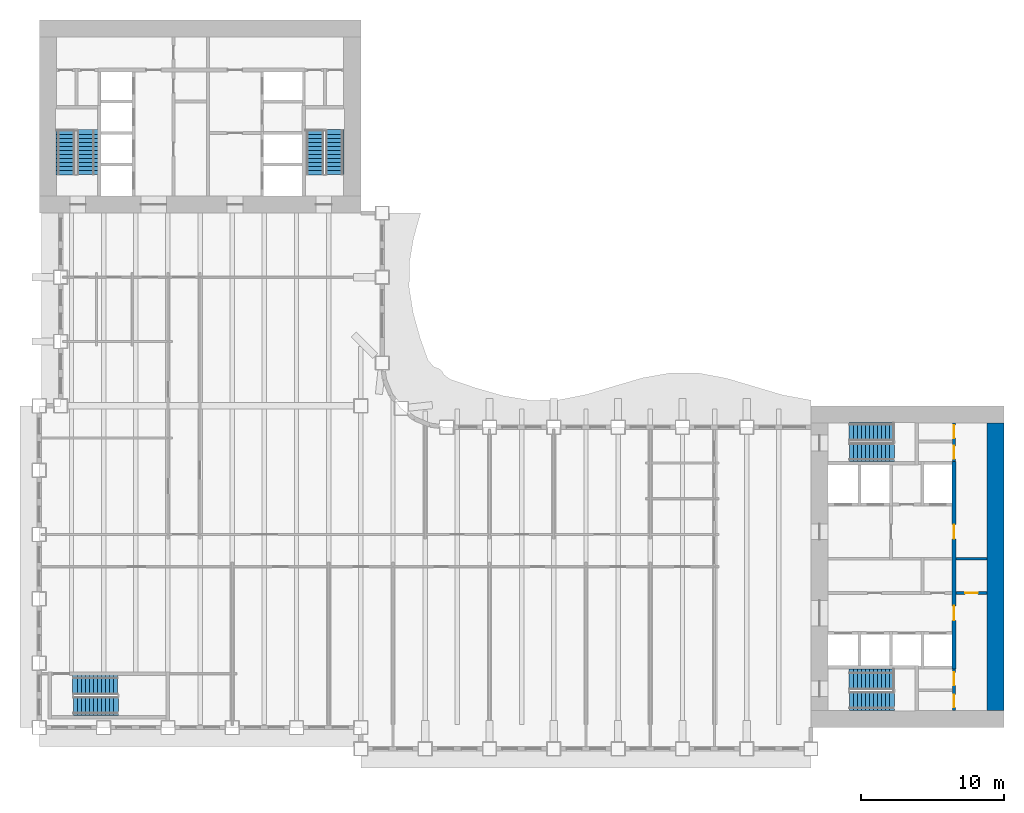
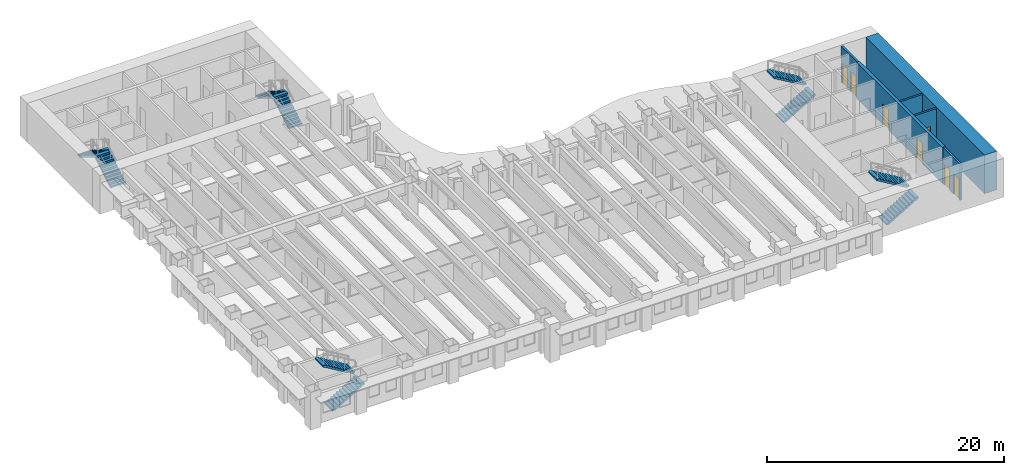
# One storey, part 10 of 16: 10 stair flights, 7 doors, 6 walls, 7 openings, 5 elements without a shape of their own.
"""IFC4 building model written with IfcOpenShell, lengths in metres."""

import ifcopenshell
import ifcopenshell.guid

model = None  # the IFC model being written
_history = None  # IfcOwnerHistory: only IFC2X3 demands one
_inside = {}  # id of a spatial element -> (the spatial element, [elements in it])
_under = {}  # id of a project, library or spatial element -> (it, [spatial elements below it])
_declared = {}  # id of a project -> (the project, [libraries it declares])
_typed = {}  # id of a type object -> (the type object, [elements of that type])
_made_of = {}  # id of a material, layer set ... -> (it, [elements and type objects made of it])


def new_model(schema):
    """Start an empty IFC model of exactly this schema.

    Asked for "IFC4X3", IfcOpenShell would pick the latest addendum, in which some entities
    have other attributes; the version numbers below select the first issue.
    IFC2X3 requires an IfcOwnerHistory on every rooted entity: one is made here for all.
    """
    global model, _history
    if schema == "IFC4X3":
        model = ifcopenshell.file(schema_version=(4, 3, 0, 0))
    else:
        model = ifcopenshell.file(schema=schema)
    _inside.clear()
    _under.clear()
    _declared.clear()
    _typed.clear()
    _made_of.clear()
    _history = None
    if model.schema == "IFC2X3":
        org = make("IfcOrganization", Name="unknown")
        user = make(
            "IfcPersonAndOrganization",
            ThePerson=make("IfcPerson", FamilyName="unknown"),
            TheOrganization=org,
        )
        app = make(
            "IfcApplication",
            ApplicationDeveloper=org,
            Version="unknown",
            ApplicationFullName="unknown",
            ApplicationIdentifier="unknown",
        )
        _history = make(
            "IfcOwnerHistory",
            OwningUser=user,
            OwningApplication=app,
            ChangeAction="ADDED",
            CreationDate=0,
        )
    return model


def make(cls, **values):
    """One entity of the class cls with the attributes given. An attribute that is None is left unset."""
    return model.create_entity(
        cls, **{name: value for name, value in values.items() if value is not None}
    )


def rooted(cls, **values):
    """An entity with a GlobalId (a new one), such as an element, a storey or a relation."""
    return make(cls, GlobalId=ifcopenshell.guid.new(), OwnerHistory=_history, **values)


def si_unit(unit_type, name, prefix=None):
    """IfcSIUnit, for example si_unit("LENGTHUNIT", "METRE", prefix="MILLI")."""
    return make("IfcSIUnit", UnitType=unit_type, Prefix=prefix, Name=name)


def assignment(units):
    """IfcUnitAssignment: the units of a project."""
    return None if units is None else make("IfcUnitAssignment", Units=units)


def point(xyz):
    """IfcCartesianPoint."""
    return None if xyz is None else make("IfcCartesianPoint", Coordinates=xyz)


def direction(xyz):
    """IfcDirection."""
    return None if xyz is None else make("IfcDirection", DirectionRatios=xyz)


def frame(location, z_axis=None, x_axis=None):
    """IfcAxis2Placement3D, a coordinate frame: its origin and axes. An axis left out is left unset."""
    return make(
        "IfcAxis2Placement3D",
        Location=point(location),
        Axis=direction(z_axis),
        RefDirection=direction(x_axis),
    )


def frame_2d(location, x_axis=None):
    """IfcAxis2Placement2D, a coordinate frame in the plane: its origin and x axis."""
    return make(
        "IfcAxis2Placement2D", Location=point(location), RefDirection=direction(x_axis)
    )


def origin():
    """The frame at (0, 0, 0) with its axes left unset."""
    return frame((0.0, 0.0, 0.0))


def place(relative_to, where):
    """IfcLocalPlacement: puts the frame where relative to a parent placement (None: the world)."""
    return make(
        "IfcLocalPlacement", PlacementRelTo=relative_to, RelativePlacement=where
    )


def context(
    kind, dimensions, precision=None, world=None, true_north=None, identifier=None
):
    """IfcGeometricRepresentationContext, for example the 3D "Model" context."""
    return make(
        "IfcGeometricRepresentationContext",
        ContextIdentifier=identifier,
        ContextType=kind,
        CoordinateSpaceDimension=dimensions,
        Precision=precision,
        WorldCoordinateSystem=world,
        TrueNorth=true_north,
    )


def subcontext(parent, identifier, kind, view, scale=None):
    """IfcGeometricRepresentationSubContext, for example "Body" below "Model"."""
    return make(
        "IfcGeometricRepresentationSubContext",
        ContextIdentifier=identifier,
        ContextType=kind,
        ParentContext=parent,
        TargetScale=scale,
        TargetView=view,
    )


def project(units=None, contexts=None):
    """IfcProject with its units and contexts."""
    return rooted(
        "IfcProject",
        Name="project",
        RepresentationContexts=contexts,
        UnitsInContext=assignment(units),
    )


def spatial(cls, under=None, at=None, **own):
    """A site, building, storey or space (cls), placed at a placement, below another one or the project."""
    s = rooted(cls, ObjectPlacement=at, **own)
    if under is not None:
        _under.setdefault(under.id(), (under, []))[1].append(s)
    return s


def polyline(points):
    """IfcPolyline through the points."""
    return make("IfcPolyline", Points=[point(p) for p in points])


def profile(cls, at=None, kind="AREA", **sizes):
    """A parametric profile (cls). Its sizes go by their IFC names, for example OverallWidth=200.0."""
    return make(cls, ProfileType=kind, Position=at, **sizes)


def rectangle(**sizes):
    """IfcRectangleProfileDef."""
    return profile("IfcRectangleProfileDef", **sizes)


def outline(outer, holes=None, kind="AREA"):
    """IfcArbitraryClosedProfileDef: a profile drawn as a closed curve; with holes, ...WithVoids."""
    if holes is None:
        return make("IfcArbitraryClosedProfileDef", ProfileType=kind, OuterCurve=outer)
    return make(
        "IfcArbitraryProfileDefWithVoids",
        ProfileType=kind,
        OuterCurve=outer,
        InnerCurves=holes,
    )


def extrude(swept, where, along, depth):
    """IfcExtrudedAreaSolid: the profile swept, set in the frame where, extruded along a direction by depth."""
    return make(
        "IfcExtrudedAreaSolid",
        SweptArea=swept,
        Position=where,
        ExtrudedDirection=direction(along),
        Depth=depth,
    )


def shape(context_of_items, identifier, shape_type, items):
    """IfcShapeRepresentation: the items that make up one representation, for example the "Body"."""
    return make(
        "IfcShapeRepresentation",
        ContextOfItems=context_of_items,
        RepresentationIdentifier=identifier,
        RepresentationType=shape_type,
        Items=items,
    )


def material(Name=None, Category=None):
    """IfcMaterial."""
    return make("IfcMaterial", Name=Name, Category=Category)


def layer(
    of_material, thickness, ventilated=None, Name=None, Category=None, Priority=None
):
    """IfcMaterialLayer: one layer of a wall or slab, of a material (None: an air gap)."""
    return make(
        "IfcMaterialLayer",
        Material=of_material,
        LayerThickness=thickness,
        IsVentilated=ventilated,
        Name=Name,
        Category=Category,
        Priority=Priority,
    )


def layer_set(layers, Name=None):
    """IfcMaterialLayerSet."""
    return make("IfcMaterialLayerSet", MaterialLayers=layers, LayerSetName=Name)


def made_of(thing, what):
    """Note that an element or type object is made of a material, layer set ...; save() writes the relation."""
    if what is not None:
        _made_of.setdefault(what.id(), (what, []))[1].append(thing)
    return thing


def type_object(cls, material=None, **own):
    """A type object (cls), such as IfcWallType, which elements share."""
    return made_of(rooted(cls, **own), material)


def element(
    cls,
    number,
    at=None,
    inside=None,
    cuts=None,
    type_object=None,
    material=None,
    context=None,
    identifier="Body",
    shape_type=None,
    held_by="IfcProductDefinitionShape",
    body=None,
    shapes=None,
    **own,
):
    """One element of the class cls, such as IfcWall. Its Tag is "e" and its number.

    at: its placement. inside: the storey or other place that contains it. cuts: it is an
    opening in that element (IfcRelVoidsElement). A single representation is given by context,
    identifier, shape_type and body (its items); several are given by shapes. held_by: the class
    of the entity that holds the representations. save() writes the other relations.
    """
    e = rooted(cls, Tag="e%d" % number, ObjectPlacement=at, **own)
    if body is not None:
        shapes = [shape(context, identifier, shape_type, body)]
    if shapes is not None:
        e.Representation = make(held_by, Representations=shapes)
    if inside is not None:
        _inside.setdefault(inside.id(), (inside, []))[1].append(e)
    if cuts is not None:
        rooted(
            "IfcRelVoidsElement", RelatingBuildingElement=cuts, RelatedOpeningElement=e
        )
    if type_object is not None:
        _typed.setdefault(type_object.id(), (type_object, []))[1].append(e)
    return made_of(e, material)


def fill(opening, filler):
    """IfcRelFillsElement: the door or window that sits in an opening."""
    return rooted(
        "IfcRelFillsElement",
        RelatingOpeningElement=opening,
        RelatedBuildingElement=filler,
    )


def aggregate(whole, parts):
    """IfcRelAggregates: a whole, such as a stair, and the parts it consists of."""
    return rooted("IfcRelAggregates", RelatingObject=whole, RelatedObjects=parts)


def save(model, path):
    """Write the relations noted so far, then the file.

    IfcRelAggregates (storeys below a building ...), IfcRelContainedInSpatialStructure (elements
    in a storey), IfcRelDefinesByType, IfcRelAssociatesMaterial and IfcRelDeclares: one each for
    every whole, place, type object, material and project.
    """
    for whole, parts in _under.values():
        aggregate(whole, parts)
    for where, things in _inside.values():
        rooted(
            "IfcRelContainedInSpatialStructure",
            RelatedElements=things,
            RelatingStructure=where,
        )
    for kind, things in _typed.values():
        rooted("IfcRelDefinesByType", RelatedObjects=things, RelatingType=kind)
    for what, things in _made_of.values():
        rooted("IfcRelAssociatesMaterial", RelatedObjects=things, RelatingMaterial=what)
    for by, libraries in _declared.values():
        rooted("IfcRelDeclares", RelatingContext=by, RelatedDefinitions=libraries)
    model.write(path)


model = new_model("IFC4")

# Units and contexts
model_context = context("Model", 3, precision=1e-05, world=origin(), true_north=direction((0.0, 1.0)))
body_context = subcontext(model_context, "Body", "Model", "MODEL_VIEW")
ifc_project = project(units=[si_unit("LENGTHUNIT", "METRE"), si_unit("AREAUNIT", "SQUARE_METRE"), si_unit("VOLUMEUNIT", "CUBIC_METRE"), si_unit("PLANEANGLEUNIT", "RADIAN"), si_unit("MASSUNIT", "GRAM", prefix="KILO")], contexts=[model_context])

# Site, building, storey
site_placement = place(None, origin())
site = spatial("IfcSite", under=ifc_project, at=site_placement, CompositionType="ELEMENT")
building_placement = place(site_placement, origin())
building = spatial("IfcBuilding", under=site, at=building_placement, Name="Sennacour Bend Tower", CompositionType="ELEMENT")
storey_placement = place(building_placement, frame((0.0, 0.0, 127.0)))
storey = spatial("IfcBuildingStorey", under=building, at=storey_placement, Name="L29", CompositionType="ELEMENT", Elevation=127.0)

# Wall
ifc_material_1 = material(Name="Concrete C80/95", Category="concrete")
ifc_layer_1 = layer(ifc_material_1, 1.199951171875, Name="Concrete C80/95", Category="concrete")
ifc_layer_set_1 = layer_set([ifc_layer_1], Name="Concrete C80/95")
wall_type_1 = type_object("IfcWallType", Name="Core wall 1200 C80/95", PredefinedType="SHEAR", material=ifc_layer_set_1)
wall_1_placement = place(storey_placement, frame((66.89990234375, 1.199951171875, -0.14990234375), z_axis=(0.0, 0.0, 1.0), x_axis=(0.0, 1.0, 0.0)))
element("IfcWall", 1, at=wall_1_placement, inside=storey, type_object=wall_type_1, Name="Core A wall L29 E", PredefinedType="SHEAR", context=body_context, shape_type="SweptSolid", body=[
    extrude(rectangle(XDim=20.10009765625, YDim=1.199951171875, at=frame_2d((10.050048828125, 0.0))), origin(), (0.0, 0.0, 1.0), 4.0),
])

# Wall, openings, doors
ifc_material_2 = material(Name="Fire-rated plasterboard partition on steel studs", Category="steel")
ifc_layer_2 = layer(ifc_material_2, 0.199951171875, Name="Fire-rated plasterboard partition on steel studs", Category="steel")
ifc_layer_set_2 = layer_set([ifc_layer_2], Name="Fire-rated plasterboard partition on steel studs")
wall_type_2 = type_object("IfcWallType", Name="Rated partition 200", PredefinedType="PARTITIONING", material=ifc_layer_set_2)
wall_2_placement = place(storey_placement, frame((64.0, 1.199951171875, 0.0), z_axis=(0.0, 0.0, 1.0), x_axis=(0.0, 1.0, 0.0)))
wall_2 = element("IfcWall", 2, at=wall_2_placement, inside=storey, type_object=wall_type_2, Name="P-L29-W045", PredefinedType="PARTITIONING", context=body_context, shape_type="SweptSolid", body=[
    extrude(rectangle(XDim=2.900146484375, YDim=0.199951171875, at=frame_2d((1.4501953125, 0.0))), origin(), (0.0, 0.0, 1.0), 3.75),
])
opening_1_placement = place(wall_2_placement, frame((0.199951171875, 0.0, 0.0)))
opening_1 = element("IfcOpeningElement", 3, at=opening_1_placement, cuts=wall_2, Name="Opening SV", PredefinedType="OPENING", context=body_context, shape_type="SweptSolid", body=[
    extrude(rectangle(XDim=0.89990234375, YDim=2.10009765625, at=frame_2d((0.449951171875, 1.050048828125))), frame((0.0, 0.10986328125, 0.0), z_axis=(0.0, -1.0, 0.0), x_axis=(1.0, 0.0, 0.0)), (0.0, 0.0, 1.0), 0.219970703125),
])
opening_2_placement = place(wall_2_placement, frame((1.75, 0.0, 0.0)))
opening_2 = element("IfcOpeningElement", 4, at=opening_2_placement, cuts=wall_2, Name="Opening WD", PredefinedType="OPENING", context=body_context, shape_type="SweptSolid", body=[
    extrude(rectangle(XDim=0.89990234375, YDim=2.10009765625, at=frame_2d((0.449951171875, 1.050048828125))), frame((0.0, 0.10986328125, 0.0), z_axis=(0.0, -1.0, 0.0), x_axis=(1.0, 0.0, 0.0)), (0.0, 0.0, 1.0), 0.219970703125),
])
ifc_material_3 = material(Name="Painted steel", Category="steel")
door_type_1 = type_object("IfcDoorType", Name="DR-SERVICE-900", OperationType="NOTDEFINED", PredefinedType="DOOR", material=ifc_material_3)
door_1_placement = place(opening_1_placement, origin())
door_1 = element("IfcDoor", 5, at=door_1_placement, inside=storey, type_object=door_type_1, Name="Door", OperationType="SINGLE_SWING_LEFT", OverallHeight=2.10009765625, OverallWidth=0.89990234375, PredefinedType="DOOR", context=body_context, shape_type="SweptSolid", body=[
    extrude(rectangle(XDim=0.89990234375, YDim=2.10009765625, at=frame_2d((0.449951171875, 1.050048828125))), frame((0.0, 0.02490234375, 0.0), z_axis=(0.0, -1.0, 0.0), x_axis=(1.0, 0.0, 0.0)), (0.0, 0.0, 1.0), 0.050048828125),
])
fill(opening_1, door_1)
ifc_material_4 = material(Name="Timber", Category="wood")
door_type_2 = type_object("IfcDoorType", Name="DR-WC-900", OperationType="NOTDEFINED", PredefinedType="DOOR", material=ifc_material_4)
door_2_placement = place(opening_2_placement, origin())
door_2 = element("IfcDoor", 6, at=door_2_placement, inside=storey, type_object=door_type_2, Name="Door", OperationType="SINGLE_SWING_RIGHT", OverallHeight=2.10009765625, OverallWidth=0.89990234375, PredefinedType="DOOR", context=body_context, shape_type="SweptSolid", body=[
    extrude(rectangle(XDim=0.89990234375, YDim=2.10009765625, at=frame_2d((0.449951171875, 1.050048828125))), frame((0.0, 0.02490234375, 0.0), z_axis=(0.0, -1.0, 0.0), x_axis=(1.0, 0.0, 0.0)), (0.0, 0.0, 1.0), 0.050048828125),
])
fill(opening_2, door_2)

wall_3_placement = place(storey_placement, frame((64.0, 18.60009765625, 0.0), z_axis=(0.0, 0.0, 1.0), x_axis=(0.0, 1.0, 0.0)))
wall_3 = element("IfcWall", 7, at=wall_3_placement, inside=storey, type_object=wall_type_2, Name="P-L29-W047", PredefinedType="PARTITIONING", context=body_context, shape_type="SweptSolid", body=[
    extrude(rectangle(XDim=2.699951171875, YDim=0.199951171875, at=frame_2d((1.35009765625, 0.0))), origin(), (0.0, 0.0, 1.0), 3.75),
])
opening_3_placement = place(wall_3_placement, frame((0.199951171875, 0.0, 0.0)))
opening_3 = element("IfcOpeningElement", 8, at=opening_3_placement, cuts=wall_3, Name="Opening SV", PredefinedType="OPENING", context=body_context, shape_type="SweptSolid", body=[
    extrude(rectangle(XDim=0.89990234375, YDim=2.10009765625, at=frame_2d((0.449951171875, 1.050048828125))), frame((0.0, 0.10986328125, 0.0), z_axis=(0.0, -1.0, 0.0), x_axis=(1.0, 0.0, 0.0)), (0.0, 0.0, 1.0), 0.219970703125),
])
opening_4_placement = place(wall_3_placement, frame((1.64990234375, 0.0, 0.0)))
opening_4 = element("IfcOpeningElement", 9, at=opening_4_placement, cuts=wall_3, Name="Opening SV", PredefinedType="OPENING", context=body_context, shape_type="SweptSolid", body=[
    extrude(rectangle(XDim=0.89990234375, YDim=2.10009765625, at=frame_2d((0.449951171875, 1.050048828125))), frame((0.0, 0.10986328125, 0.0), z_axis=(0.0, -1.0, 0.0), x_axis=(1.0, 0.0, 0.0)), (0.0, 0.0, 1.0), 0.219970703125),
])
door_3_placement = place(opening_3_placement, origin())
door_3 = element("IfcDoor", 10, at=door_3_placement, inside=storey, type_object=door_type_1, Name="Door", OperationType="SINGLE_SWING_LEFT", OverallHeight=2.10009765625, OverallWidth=0.89990234375, PredefinedType="DOOR", context=body_context, shape_type="SweptSolid", body=[
    extrude(rectangle(XDim=0.89990234375, YDim=2.10009765625, at=frame_2d((0.449951171875, 1.050048828125))), frame((0.0, 0.02490234375, 0.0), z_axis=(0.0, -1.0, 0.0), x_axis=(1.0, 0.0, 0.0)), (0.0, 0.0, 1.0), 0.050048828125),
])
fill(opening_3, door_3)
door_4_placement = place(opening_4_placement, origin())
door_4 = element("IfcDoor", 11, at=door_4_placement, inside=storey, type_object=door_type_1, Name="Door", OperationType="SINGLE_SWING_RIGHT", OverallHeight=2.10009765625, OverallWidth=0.89990234375, PredefinedType="DOOR", context=body_context, shape_type="SweptSolid", body=[
    extrude(rectangle(XDim=0.89990234375, YDim=2.10009765625, at=frame_2d((0.449951171875, 1.050048828125))), frame((0.0, 0.02490234375, 0.0), z_axis=(0.0, -1.0, 0.0), x_axis=(1.0, 0.0, 0.0)), (0.0, 0.0, 1.0), 0.050048828125),
])
fill(opening_4, door_4)

# Wall, opening, door
wall_4_placement = place(storey_placement, frame((64.14990234375, 9.39990234375, 0.0), z_axis=(0.0, 0.0, 1.0), x_axis=(1.0, 0.0, 0.0)))
wall_4 = element("IfcWall", 12, at=wall_4_placement, inside=storey, type_object=wall_type_2, Name="P-L29-W057c", PredefinedType="PARTITIONING", context=body_context, shape_type="SweptSolid", body=[
    extrude(rectangle(XDim=2.150146484375, YDim=0.199951171875, at=frame_2d((1.0751953125, 0.0))), origin(), (0.0, 0.0, 1.0), 3.75),
])
opening_5_placement = place(wall_4_placement, frame((0.625, 0.0, 0.0)))
opening_5 = element("IfcOpeningElement", 13, at=opening_5_placement, cuts=wall_4, Name="Opening SV", PredefinedType="OPENING", context=body_context, shape_type="SweptSolid", body=[
    extrude(rectangle(XDim=0.89990234375, YDim=2.10009765625, at=frame_2d((0.449951171875, 1.050048828125))), frame((0.0, 0.10986328125, 0.0), z_axis=(0.0, -1.0, 0.0), x_axis=(1.0, 0.0, 0.0)), (0.0, 0.0, 1.0), 0.219970703125),
])
door_5_placement = place(opening_5_placement, origin())
door_5 = element("IfcDoor", 14, at=door_5_placement, inside=storey, type_object=door_type_1, Name="Door", OperationType="SINGLE_SWING_LEFT", OverallHeight=2.10009765625, OverallWidth=0.89990234375, PredefinedType="DOOR", context=body_context, shape_type="SweptSolid", body=[
    extrude(rectangle(XDim=0.89990234375, YDim=2.10009765625, at=frame_2d((0.449951171875, 1.050048828125))), frame((0.0, 0.02490234375, 0.0), z_axis=(0.0, -1.0, 0.0), x_axis=(1.0, 0.0, 0.0)), (0.0, 0.0, 1.0), 0.050048828125),
])
fill(opening_5, door_5)

# Wall
wall_5_placement = place(storey_placement, frame((64.14990234375, 11.800048828125, 0.0), z_axis=(0.0, 0.0, 1.0), x_axis=(1.0, 0.0, 0.0)))
element("IfcWall", 15, at=wall_5_placement, inside=storey, type_object=wall_type_2, Name="P-L29-W059d", PredefinedType="PARTITIONING", context=body_context, shape_type="SweptSolid", body=[
    extrude(rectangle(XDim=2.150146484375, YDim=0.199951171875, at=frame_2d((1.0751953125, 0.0))), origin(), (0.0, 0.0, 1.0), 3.75),
])

# Wall, openings, doors
ifc_material_5 = material(Name="Concrete C60/75", Category="concrete")
ifc_layer_3 = layer(ifc_material_5, 0.300048828125, Name="Concrete C60/75", Category="concrete")
ifc_layer_set_3 = layer_set([ifc_layer_3], Name="Concrete C60/75")
wall_type_3 = type_object("IfcWallType", Name="Spine wall 300", PredefinedType="SHEAR", material=ifc_layer_set_3)
wall_6_placement = place(storey_placement, frame((64.0, 4.10009765625, 0.0), z_axis=(0.0, 0.0, 1.0), x_axis=(0.0, 1.0, 0.0)))
wall_6 = element("IfcWall", 16, at=wall_6_placement, inside=storey, type_object=wall_type_3, Name="P-L29-W046", PredefinedType="SHEAR", context=body_context, shape_type="SweptSolid", body=[
    extrude(rectangle(XDim=14.5, YDim=0.300048828125, at=frame_2d((7.25, 0.0))), origin(), (0.0, 0.0, 1.0), 3.75),
])
opening_6_placement = place(wall_6_placement, frame((3.39990234375, 0.0, 0.0)))
opening_6 = element("IfcOpeningElement", 17, at=opening_6_placement, cuts=wall_6, Name="Opening CD2", PredefinedType="OPENING", context=body_context, shape_type="SweptSolid", body=[
    extrude(rectangle(XDim=1.0, YDim=2.10009765625, at=frame_2d((0.5, 1.050048828125))), frame((0.0, 0.16015625, 0.0), z_axis=(0.0, -1.0, 0.0), x_axis=(1.0, 0.0, 0.0)), (0.0, 0.0, 1.0), 0.320068359375),
])
opening_7_placement = place(wall_6_placement, frame((9.099853515625, 0.0, 0.0)))
opening_7 = element("IfcOpeningElement", 18, at=opening_7_placement, cuts=wall_6, Name="Opening CD2", PredefinedType="OPENING", context=body_context, shape_type="SweptSolid", body=[
    extrude(rectangle(XDim=1.0, YDim=2.10009765625, at=frame_2d((0.5, 1.050048828125))), frame((0.0, 0.16015625, 0.0), z_axis=(0.0, -1.0, 0.0), x_axis=(1.0, 0.0, 0.0)), (0.0, 0.0, 1.0), 0.320068359375),
])
door_type_3 = type_object("IfcDoorType", Name="DR-LOBBY-1000", OperationType="NOTDEFINED", PredefinedType="DOOR", material=ifc_material_3)
door_6_placement = place(opening_6_placement, origin())
door_6 = element("IfcDoor", 19, at=door_6_placement, inside=storey, type_object=door_type_3, Name="Door", OperationType="SINGLE_SWING_LEFT", OverallHeight=2.10009765625, OverallWidth=1.0, PredefinedType="DOOR", context=body_context, shape_type="SweptSolid", body=[
    extrude(rectangle(XDim=1.0, YDim=2.10009765625, at=frame_2d((0.5, 1.050048828125))), frame((0.0, 0.02490234375, 0.0), z_axis=(0.0, -1.0, 0.0), x_axis=(1.0, 0.0, 0.0)), (0.0, 0.0, 1.0), 0.050048828125),
])
fill(opening_6, door_6)
door_7_placement = place(opening_7_placement, origin())
door_7 = element("IfcDoor", 20, at=door_7_placement, inside=storey, type_object=door_type_3, Name="Door", OperationType="SINGLE_SWING_RIGHT", OverallHeight=2.10009765625, OverallWidth=1.0, PredefinedType="DOOR", context=body_context, shape_type="SweptSolid", body=[
    extrude(rectangle(XDim=1.0, YDim=2.10009765625, at=frame_2d((0.5, 1.050048828125))), frame((0.0, 0.02490234375, 0.0), z_axis=(0.0, -1.0, 0.0), x_axis=(1.0, 0.0, 0.0)), (0.0, 0.0, 1.0), 0.050048828125),
])
fill(opening_7, door_7)

# Stair, stair flights
ifc_material_6 = material(Name="Concrete C40/50", Category="concrete")
stair_type = type_object("IfcStairType", Name="ST-DOGLEG", PredefinedType="HALF_TURN_STAIR", material=ifc_material_6)
stair_1_placement = place(storey_placement, origin())
stair_1 = element("IfcStair", 21, at=stair_1_placement, inside=storey, type_object=stair_type, Name="L29 Exit stair A1", PredefinedType="HALF_TURN_STAIR")
stair_flight_type = type_object("IfcStairFlightType", Name="SFL-RC", PredefinedType="STRAIGHT", material=ifc_material_6)
stair_flight_1_placement = place(storey_placement, frame((56.699951171875, 1.8349609375, 0.0), z_axis=(0.0, 0.0, 1.0), x_axis=(1.0, 0.0, 0.0)))
stair_flight_1 = element("IfcStairFlight", 22, at=stair_flight_1_placement, type_object=stair_flight_type, Name="SA1 flight 1", NumberOfRisers=12, NumberOfTreads=11, PredefinedType="STRAIGHT", RiserHeight=0.166666667, TreadLength=0.28, context=body_context, shape_type="SweptSolid", body=[
    extrude(outline(polyline([(0.0, 0.0), (0.0, 0.166748046875), (0.280029296875, 0.166748046875), (0.280029296875, 0.333251953125), (0.56005859375, 0.333251953125), (0.56005859375, 0.5), (0.840087890625, 0.5), (0.840087890625, 0.666748046875), (1.1201171875, 0.666748046875), (1.1201171875, 0.833251953125), (1.39990234375, 0.833251953125), (1.39990234375, 1.0), (1.679931640625, 1.0), (1.679931640625, 1.166748046875), (1.9599609375, 1.166748046875), (1.9599609375, 1.333251953125), (2.239990234375, 1.333251953125), (2.239990234375, 1.5), (2.52001953125, 1.5), (2.52001953125, 1.666748046875), (2.800048828125, 1.666748046875), (2.800048828125, 1.833251953125), (3.080078125, 1.833251953125), (3.139892578125, 1.833251953125), (3.139892578125, 1.658935546875), (3.080078125, 1.658935546875), (0.29296875, 0.0), (0.0, 0.0)])), frame((0.0, 0.6650390625, 0.0), z_axis=(0.0, -1.0, 0.0), x_axis=(1.0, 0.0, 0.0)), (0.0, 0.0, 1.0), 1.330078125),
])
stair_flight_2_placement = place(storey_placement, frame((59.780029296875, 3.37744140625, 2.0), z_axis=(0.0, 0.0, 1.0), x_axis=(-1.0, 0.0, 0.0)))
stair_flight_2 = element("IfcStairFlight", 23, at=stair_flight_2_placement, type_object=stair_flight_type, Name="SA1 flight 2", NumberOfRisers=12, NumberOfTreads=11, PredefinedType="STRAIGHT", RiserHeight=0.166666667, TreadLength=0.28, context=body_context, shape_type="SweptSolid", body=[
    extrude(outline(polyline([(0.0, 0.0), (0.0, 0.166748046875), (0.280029296875, 0.166748046875), (0.280029296875, 0.333251953125), (0.56005859375, 0.333251953125), (0.56005859375, 0.5), (0.840087890625, 0.5), (0.840087890625, 0.666748046875), (1.1201171875, 0.666748046875), (1.1201171875, 0.833251953125), (1.39990234375, 0.833251953125), (1.39990234375, 1.0), (1.679931640625, 1.0), (1.679931640625, 1.166748046875), (1.9599609375, 1.166748046875), (1.9599609375, 1.333251953125), (2.239990234375, 1.333251953125), (2.239990234375, 1.5), (2.52001953125, 1.5), (2.52001953125, 1.666748046875), (2.800048828125, 1.666748046875), (2.800048828125, 1.833251953125), (3.080078125, 1.833251953125), (3.139892578125, 1.833251953125), (3.139892578125, 1.658935546875), (3.080078125, 1.658935546875), (0.29296875, 0.0), (0.0, 0.0)])), frame((0.0, 0.7275390625, 0.0), z_axis=(0.0, -1.0, 0.0), x_axis=(1.0, 0.0, 0.0)), (0.0, 0.0, 1.0), 1.455078125),
])
aggregate(stair_1, [stair_flight_1, stair_flight_2])

stair_2_placement = place(storey_placement, origin())
stair_2 = element("IfcStair", 24, at=stair_2_placement, inside=storey, type_object=stair_type, Name="L29 Exit stair A2", PredefinedType="HALF_TURN_STAIR")
stair_flight_3_placement = place(storey_placement, frame((56.699951171875, 19.24755859375, 0.0), z_axis=(0.0, 0.0, 1.0), x_axis=(1.0, 0.0, 0.0)))
stair_flight_3 = element("IfcStairFlight", 25, at=stair_flight_3_placement, type_object=stair_flight_type, Name="SA2 flight 1", NumberOfRisers=12, NumberOfTreads=11, PredefinedType="STRAIGHT", RiserHeight=0.166666667, TreadLength=0.28, context=body_context, shape_type="SweptSolid", body=[
    extrude(outline(polyline([(0.0, 0.0), (0.0, 0.166748046875), (0.280029296875, 0.166748046875), (0.280029296875, 0.333251953125), (0.56005859375, 0.333251953125), (0.56005859375, 0.5), (0.840087890625, 0.5), (0.840087890625, 0.666748046875), (1.1201171875, 0.666748046875), (1.1201171875, 0.833251953125), (1.39990234375, 0.833251953125), (1.39990234375, 1.0), (1.679931640625, 1.0), (1.679931640625, 1.166748046875), (1.9599609375, 1.166748046875), (1.9599609375, 1.333251953125), (2.239990234375, 1.333251953125), (2.239990234375, 1.5), (2.52001953125, 1.5), (2.52001953125, 1.666748046875), (2.800048828125, 1.666748046875), (2.800048828125, 1.833251953125), (3.080078125, 1.833251953125), (3.139892578125, 1.833251953125), (3.139892578125, 1.658935546875), (3.080078125, 1.658935546875), (0.29296875, 0.0), (0.0, 0.0)])), frame((0.0, 0.65234375, 0.0), z_axis=(0.0, -1.0, 0.0), x_axis=(1.0, 0.0, 0.0)), (0.0, 0.0, 1.0), 1.304931640625),
])
stair_flight_4_placement = place(storey_placement, frame((59.780029296875, 20.68994140625, 2.0), z_axis=(0.0, 0.0, 1.0), x_axis=(-1.0, 0.0, 0.0)))
stair_flight_4 = element("IfcStairFlight", 26, at=stair_flight_4_placement, type_object=stair_flight_type, Name="SA2 flight 2", NumberOfRisers=12, NumberOfTreads=11, PredefinedType="STRAIGHT", RiserHeight=0.166666667, TreadLength=0.28, context=body_context, shape_type="SweptSolid", body=[
    extrude(outline(polyline([(0.0, 0.0), (0.0, 0.166748046875), (0.280029296875, 0.166748046875), (0.280029296875, 0.333251953125), (0.56005859375, 0.333251953125), (0.56005859375, 0.5), (0.840087890625, 0.5), (0.840087890625, 0.666748046875), (1.1201171875, 0.666748046875), (1.1201171875, 0.833251953125), (1.39990234375, 0.833251953125), (1.39990234375, 1.0), (1.679931640625, 1.0), (1.679931640625, 1.166748046875), (1.9599609375, 1.166748046875), (1.9599609375, 1.333251953125), (2.239990234375, 1.333251953125), (2.239990234375, 1.5), (2.52001953125, 1.5), (2.52001953125, 1.666748046875), (2.800048828125, 1.666748046875), (2.800048828125, 1.833251953125), (3.080078125, 1.833251953125), (3.139892578125, 1.833251953125), (3.139892578125, 1.658935546875), (3.080078125, 1.658935546875), (0.29296875, 0.0), (0.0, 0.0)])), frame((0.0, 0.64013671875, 0.0), z_axis=(0.0, -1.0, 0.0), x_axis=(1.0, 0.0, 0.0)), (0.0, 0.0, 1.0), 1.280029296875),
])
aggregate(stair_2, [stair_flight_3, stair_flight_4])

stair_3_placement = place(storey_placement, origin())
stair_3 = element("IfcStair", 27, at=stair_3_placement, inside=storey, type_object=stair_type, Name="L29 Exit stair B1", PredefinedType="HALF_TURN_STAIR")
stair_flight_5_placement = place(storey_placement, frame((3.37744140625, 38.699951171875, 0.0), z_axis=(0.0, 0.0, 1.0), x_axis=(0.0, 1.0, 0.0)))
stair_flight_5 = element("IfcStairFlight", 28, at=stair_flight_5_placement, type_object=stair_flight_type, Name="SB1 flight 1", NumberOfRisers=12, NumberOfTreads=11, PredefinedType="STRAIGHT", RiserHeight=0.166666667, TreadLength=0.28, context=body_context, shape_type="SweptSolid", body=[
    extrude(outline(polyline([(0.0, 0.0), (0.0, 0.166748046875), (0.280029296875, 0.166748046875), (0.280029296875, 0.333251953125), (0.56005859375, 0.333251953125), (0.56005859375, 0.5), (0.840087890625, 0.5), (0.840087890625, 0.666748046875), (1.1201171875, 0.666748046875), (1.1201171875, 0.833251953125), (1.39990234375, 0.833251953125), (1.39990234375, 1.0), (1.679931640625, 1.0), (1.679931640625, 1.166748046875), (1.9599609375, 1.166748046875), (1.9599609375, 1.333251953125), (2.239990234375, 1.333251953125), (2.239990234375, 1.5), (2.52001953125, 1.5), (2.52001953125, 1.666748046875), (2.800048828125, 1.666748046875), (2.800048828125, 1.833251953125), (3.080078125, 1.833251953125), (3.139892578125, 1.833251953125), (3.139892578125, 1.658935546875), (3.080078125, 1.658935546875), (0.29296875, 0.0), (0.0, 0.0)])), frame((0.0, 0.7275390625, 0.0), z_axis=(0.0, -1.0, 0.0), x_axis=(1.0, 0.0, 0.0)), (0.0, 0.0, 1.0), 1.455078125),
])
stair_flight_6_placement = place(storey_placement, frame((1.8349609375, 41.780029296875, 2.0), z_axis=(0.0, 0.0, 1.0), x_axis=(0.0, -1.0, 0.0)))
stair_flight_6 = element("IfcStairFlight", 29, at=stair_flight_6_placement, type_object=stair_flight_type, Name="SB1 flight 2", NumberOfRisers=12, NumberOfTreads=11, PredefinedType="STRAIGHT", RiserHeight=0.166666667, TreadLength=0.28, context=body_context, shape_type="SweptSolid", body=[
    extrude(outline(polyline([(0.0, 0.0), (0.0, 0.166748046875), (0.280029296875, 0.166748046875), (0.280029296875, 0.333251953125), (0.56005859375, 0.333251953125), (0.56005859375, 0.5), (0.840087890625, 0.5), (0.840087890625, 0.666748046875), (1.1201171875, 0.666748046875), (1.1201171875, 0.833251953125), (1.39990234375, 0.833251953125), (1.39990234375, 1.0), (1.679931640625, 1.0), (1.679931640625, 1.166748046875), (1.9599609375, 1.166748046875), (1.9599609375, 1.333251953125), (2.239990234375, 1.333251953125), (2.239990234375, 1.5), (2.52001953125, 1.5), (2.52001953125, 1.666748046875), (2.800048828125, 1.666748046875), (2.800048828125, 1.833251953125), (3.080078125, 1.833251953125), (3.139892578125, 1.833251953125), (3.139892578125, 1.658935546875), (3.080078125, 1.658935546875), (0.29296875, 0.0), (0.0, 0.0)])), frame((0.0, 0.6650390625, 0.0), z_axis=(0.0, -1.0, 0.0), x_axis=(1.0, 0.0, 0.0)), (0.0, 0.0, 1.0), 1.330078125),
])
aggregate(stair_3, [stair_flight_5, stair_flight_6])

stair_4_placement = place(storey_placement, origin())
stair_4 = element("IfcStair", 30, at=stair_4_placement, inside=storey, type_object=stair_type, Name="L29 Exit stair B2", PredefinedType="HALF_TURN_STAIR")
stair_flight_7_placement = place(storey_placement, frame((20.68994140625, 38.699951171875, 0.0), z_axis=(0.0, 0.0, 1.0), x_axis=(0.0, 1.0, 0.0)))
stair_flight_7 = element("IfcStairFlight", 31, at=stair_flight_7_placement, type_object=stair_flight_type, Name="SB2 flight 1", NumberOfRisers=12, NumberOfTreads=11, PredefinedType="STRAIGHT", RiserHeight=0.166666667, TreadLength=0.28, context=body_context, shape_type="SweptSolid", body=[
    extrude(outline(polyline([(0.0, 0.0), (0.0, 0.166748046875), (0.280029296875, 0.166748046875), (0.280029296875, 0.333251953125), (0.56005859375, 0.333251953125), (0.56005859375, 0.5), (0.840087890625, 0.5), (0.840087890625, 0.666748046875), (1.1201171875, 0.666748046875), (1.1201171875, 0.833251953125), (1.39990234375, 0.833251953125), (1.39990234375, 1.0), (1.679931640625, 1.0), (1.679931640625, 1.166748046875), (1.9599609375, 1.166748046875), (1.9599609375, 1.333251953125), (2.239990234375, 1.333251953125), (2.239990234375, 1.5), (2.52001953125, 1.5), (2.52001953125, 1.666748046875), (2.800048828125, 1.666748046875), (2.800048828125, 1.833251953125), (3.080078125, 1.833251953125), (3.139892578125, 1.833251953125), (3.139892578125, 1.658935546875), (3.080078125, 1.658935546875), (0.29296875, 0.0), (0.0, 0.0)])), frame((0.0, 0.64013671875, 0.0), z_axis=(0.0, -1.0, 0.0), x_axis=(1.0, 0.0, 0.0)), (0.0, 0.0, 1.0), 1.280029296875),
])
stair_flight_8_placement = place(storey_placement, frame((19.24755859375, 41.780029296875, 2.0), z_axis=(0.0, 0.0, 1.0), x_axis=(0.0, -1.0, 0.0)))
stair_flight_8 = element("IfcStairFlight", 32, at=stair_flight_8_placement, type_object=stair_flight_type, Name="SB2 flight 2", NumberOfRisers=12, NumberOfTreads=11, PredefinedType="STRAIGHT", RiserHeight=0.166666667, TreadLength=0.28, context=body_context, shape_type="SweptSolid", body=[
    extrude(outline(polyline([(0.0, 0.0), (0.0, 0.166748046875), (0.280029296875, 0.166748046875), (0.280029296875, 0.333251953125), (0.56005859375, 0.333251953125), (0.56005859375, 0.5), (0.840087890625, 0.5), (0.840087890625, 0.666748046875), (1.1201171875, 0.666748046875), (1.1201171875, 0.833251953125), (1.39990234375, 0.833251953125), (1.39990234375, 1.0), (1.679931640625, 1.0), (1.679931640625, 1.166748046875), (1.9599609375, 1.166748046875), (1.9599609375, 1.333251953125), (2.239990234375, 1.333251953125), (2.239990234375, 1.5), (2.52001953125, 1.5), (2.52001953125, 1.666748046875), (2.800048828125, 1.666748046875), (2.800048828125, 1.833251953125), (3.080078125, 1.833251953125), (3.139892578125, 1.833251953125), (3.139892578125, 1.658935546875), (3.080078125, 1.658935546875), (0.29296875, 0.0), (0.0, 0.0)])), frame((0.0, 0.65234375, 0.0), z_axis=(0.0, -1.0, 0.0), x_axis=(1.0, 0.0, 0.0)), (0.0, 0.0, 1.0), 1.304931640625),
])
aggregate(stair_4, [stair_flight_7, stair_flight_8])

stair_5_placement = place(storey_placement, origin())
stair_5 = element("IfcStair", 33, at=stair_5_placement, inside=storey, type_object=stair_type, Name="L29 Exit stair K1", PredefinedType="HALF_TURN_STAIR")
stair_flight_9_placement = place(storey_placement, frame((2.39990234375, 1.485107421875, 0.0), z_axis=(0.0, 0.0, 1.0), x_axis=(1.0, 0.0, 0.0)))
stair_flight_9 = element("IfcStairFlight", 34, at=stair_flight_9_placement, type_object=stair_flight_type, Name="SK1 flight 1", NumberOfRisers=12, NumberOfTreads=11, PredefinedType="STRAIGHT", RiserHeight=0.166666667, TreadLength=0.28, context=body_context, shape_type="SweptSolid", body=[
    extrude(outline(polyline([(0.0, 0.0), (0.0, 0.166748046875), (0.280029296875, 0.166748046875), (0.280029296875, 0.333251953125), (0.56005859375, 0.333251953125), (0.56005859375, 0.5), (0.840087890625, 0.5), (0.840087890625, 0.666748046875), (1.1201171875, 0.666748046875), (1.1201171875, 0.833251953125), (1.39990234375, 0.833251953125), (1.39990234375, 1.0), (1.679931640625, 1.0), (1.679931640625, 1.166748046875), (1.9599609375, 1.166748046875), (1.9599609375, 1.333251953125), (2.239990234375, 1.333251953125), (2.239990234375, 1.5), (2.52001953125, 1.5), (2.52001953125, 1.666748046875), (2.800048828125, 1.666748046875), (2.800048828125, 1.833251953125), (3.080078125, 1.833251953125), (3.139892578125, 1.833251953125), (3.139892578125, 1.658935546875), (3.080078125, 1.658935546875), (0.29296875, 0.0), (0.0, 0.0)])), frame((0.0, 0.6650390625, 0.0), z_axis=(0.0, -1.0, 0.0), x_axis=(1.0, 0.0, 0.0)), (0.0, 0.0, 1.0), 1.330078125),
])
stair_flight_10_placement = place(storey_placement, frame((5.47998046875, 2.9775390625, 2.0), z_axis=(0.0, 0.0, 1.0), x_axis=(-1.0, 0.0, 0.0)))
stair_flight_10 = element("IfcStairFlight", 35, at=stair_flight_10_placement, type_object=stair_flight_type, Name="SK1 flight 2", NumberOfRisers=12, NumberOfTreads=11, PredefinedType="STRAIGHT", RiserHeight=0.166666667, TreadLength=0.28, context=body_context, shape_type="SweptSolid", body=[
    extrude(outline(polyline([(0.0, 0.0), (0.0, 0.166748046875), (0.280029296875, 0.166748046875), (0.280029296875, 0.333251953125), (0.56005859375, 0.333251953125), (0.56005859375, 0.5), (0.840087890625, 0.5), (0.840087890625, 0.666748046875), (1.1201171875, 0.666748046875), (1.1201171875, 0.833251953125), (1.39990234375, 0.833251953125), (1.39990234375, 1.0), (1.679931640625, 1.0), (1.679931640625, 1.166748046875), (1.9599609375, 1.166748046875), (1.9599609375, 1.333251953125), (2.239990234375, 1.333251953125), (2.239990234375, 1.5), (2.52001953125, 1.5), (2.52001953125, 1.666748046875), (2.800048828125, 1.666748046875), (2.800048828125, 1.833251953125), (3.080078125, 1.833251953125), (3.139892578125, 1.833251953125), (3.139892578125, 1.658935546875), (3.080078125, 1.658935546875), (0.29296875, 0.0), (0.0, 0.0)])), frame((0.0, 0.677490234375, 0.0), z_axis=(0.0, -1.0, 0.0), x_axis=(1.0, 0.0, 0.0)), (0.0, 0.0, 1.0), 1.35498046875),
])
aggregate(stair_5, [stair_flight_9, stair_flight_10])

save(model, "model.ifc")
